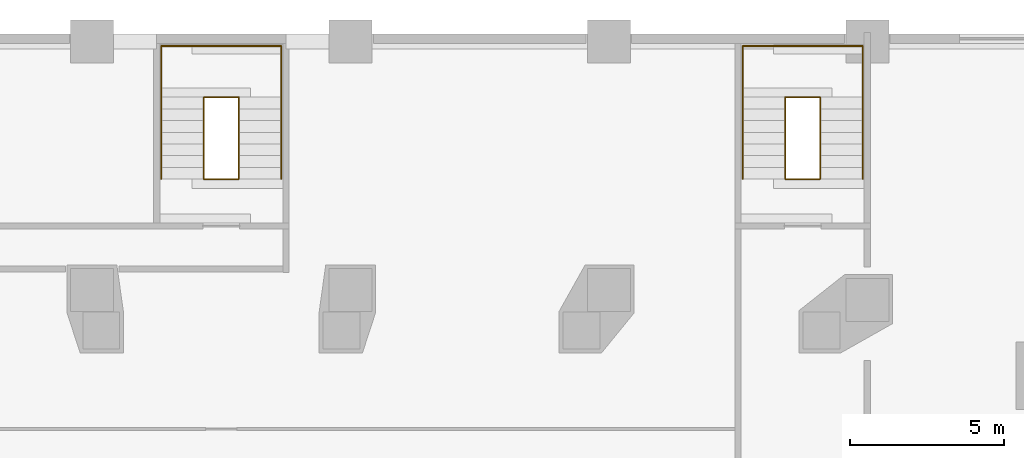
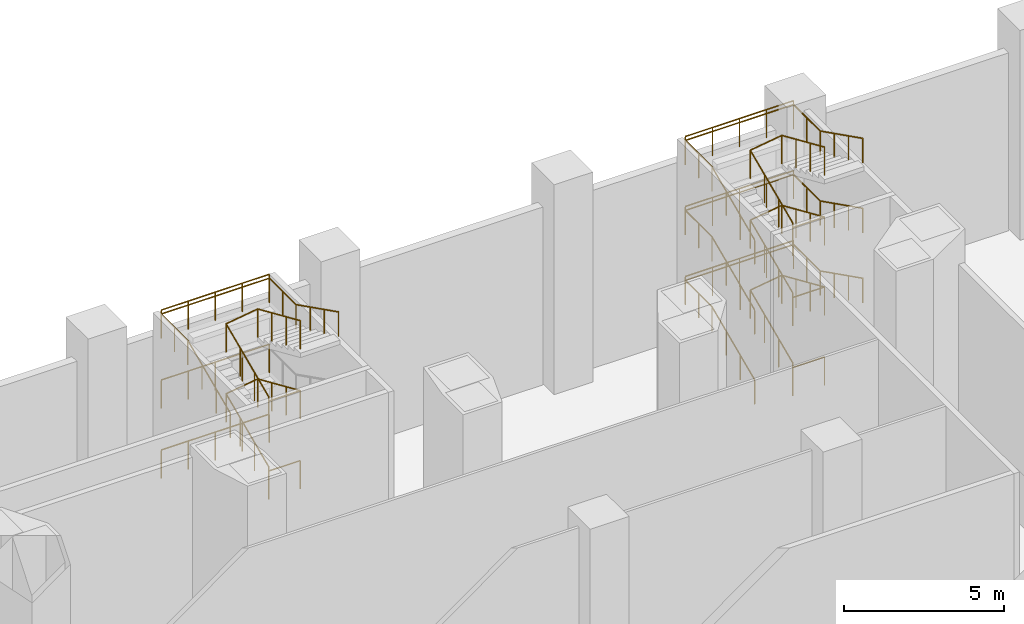
# One storey, part 19 of 19: 15 railings.
"""IFC4 building model written with IfcOpenShell, lengths in metres."""

from ifc_helpers import new_model, si_unit, direction, frame, origin, origin_2d, place, context, subcontext, project, spatial, circle, extrude, material, type_object, element, save


model = new_model("IFC4")

# Units and contexts
model_context = context("Model", 3, precision=1e-05, world=origin(), true_north=direction((0.0, 1.0)))
body_context = subcontext(model_context, "Body", "Model", "MODEL_VIEW")
ifc_project = project(units=[si_unit("LENGTHUNIT", "METRE"), si_unit("AREAUNIT", "SQUARE_METRE"), si_unit("VOLUMEUNIT", "CUBIC_METRE"), si_unit("PLANEANGLEUNIT", "RADIAN"), si_unit("MASSUNIT", "GRAM", prefix="KILO")], contexts=[model_context])

# Site, building, storey
site_placement = place(None, origin())
site = spatial("IfcSite", under=ifc_project, at=site_placement, CompositionType="ELEMENT")
building_placement = place(site_placement, origin())
building = spatial("IfcBuilding", under=site, at=building_placement, Name="Marenta Gate Hotel Tower", CompositionType="ELEMENT")
storey_placement = place(building_placement, frame((0.0, 0.0, 13.0)))
storey = spatial("IfcBuildingStorey", under=building, at=storey_placement, Name="L02", CompositionType="ELEMENT", Elevation=13.0)

# Railings
ifc_material_1 = material(Name="Stainless steel", Category="steel")
railing_type_1 = type_object("IfcRailingType", Name="Core stair handrail 950", PredefinedType="HANDRAIL", material=ifc_material_1)
railing_1_placement = place(storey_placement, frame((16.949951171875, 37.530029296875, 0.166748046875)))
element("IfcRailing", 1, at=railing_1_placement, inside=storey, type_object=railing_type_1, Name="HR-950 L02-KR-PX4-2", PredefinedType="HANDRAIL", context=body_context, shape_type="SweptSolid", body=[
    extrude(circle(Radius=0.02392578125, at=origin_2d()), frame((0.0, 0.0, 0.92578125), z_axis=(0.0, 0.915803938995, 0.401625628317), x_axis=(-1.0, 0.0, 0.0)), (0.0, 0.0, 1.0), 2.904541015625),
    extrude(circle(Radius=0.02392578125, at=origin_2d()), frame((0.0, 2.659912109375, 2.09228515625), z_axis=(0.0, 1.0, 0.0), x_axis=(-1.0, 0.0, 0.0)), (0.0, 0.0, 1.0), 1.66015625),
    extrude(circle(Radius=0.02392578125, at=origin_2d()), frame((0.0, 4.320068359375, 2.09228515625), z_axis=(1.0, 0.0, 0.0), x_axis=(0.0, 1.0, 0.0)), (0.0, 0.0, 1.0), 3.900146484375),
    extrude(circle(Radius=0.02392578125, at=origin_2d()), frame((3.900146484375, 4.320068359375, 2.09228515625), z_axis=(0.0, -1.0, 0.0), x_axis=(1.0, 0.0, 0.0)), (0.0, 0.0, 1.0), 1.66015625),
    extrude(circle(Radius=0.02392578125, at=origin_2d()), frame((3.900146484375, 2.659912109375, 2.09228515625), z_axis=(0.0, -0.89395078604, 0.448165139362), x_axis=(1.0, 0.0, 0.0)), (0.0, 0.0, 1.0), 2.975341796875),
    extrude(circle(Radius=0.02099609375, at=origin_2d()), origin(), (0.0, 0.0, 1.0), 0.90185546875),
    extrude(circle(Radius=0.02099609375, at=origin_2d()), frame((0.0, 0.88671875, 0.388916015625)), (0.0, 0.0, 1.0), 0.90185546875),
    extrude(circle(Radius=0.02099609375, at=origin_2d()), frame((0.0, 1.773193359375, 0.777587890625)), (0.0, 0.0, 1.0), 0.90185546875),
    extrude(circle(Radius=0.02099609375, at=origin_2d()), frame((0.0, 2.659912109375, 1.16650390625)), (0.0, 0.0, 1.0), 0.90185546875),
    extrude(circle(Radius=0.02099609375, at=origin_2d()), frame((0.0, 3.489990234375, 1.16650390625)), (0.0, 0.0, 1.0), 0.90185546875),
    extrude(circle(Radius=0.02099609375, at=origin_2d()), frame((0.0, 4.320068359375, 1.16650390625)), (0.0, 0.0, 1.0), 0.90185546875),
    extrude(circle(Radius=0.02099609375, at=origin_2d()), frame((0.97509765625, 4.320068359375, 1.16650390625)), (0.0, 0.0, 1.0), 0.90185546875),
    extrude(circle(Radius=0.02099609375, at=origin_2d()), frame((1.9501953125, 4.320068359375, 1.16650390625)), (0.0, 0.0, 1.0), 0.90185546875),
    extrude(circle(Radius=0.02099609375, at=origin_2d()), frame((2.925048828125, 4.320068359375, 1.16650390625)), (0.0, 0.0, 1.0), 0.90185546875),
    extrude(circle(Radius=0.02099609375, at=origin_2d()), frame((3.900146484375, 4.320068359375, 1.16650390625)), (0.0, 0.0, 1.0), 0.90185546875),
    extrude(circle(Radius=0.02099609375, at=origin_2d()), frame((3.900146484375, 3.489990234375, 1.16650390625)), (0.0, 0.0, 1.0), 0.90185546875),
    extrude(circle(Radius=0.02099609375, at=origin_2d()), frame((3.900146484375, 2.659912109375, 1.16650390625)), (0.0, 0.0, 1.0), 0.90185546875),
    extrude(circle(Radius=0.02099609375, at=origin_2d()), frame((3.900146484375, 1.773193359375, 1.611083984375)), (0.0, 0.0, 1.0), 0.90185546875),
    extrude(circle(Radius=0.02099609375, at=origin_2d()), frame((3.900146484375, 0.88671875, 2.055419921875)), (0.0, 0.0, 1.0), 0.90185546875),
    extrude(circle(Radius=0.02099609375, at=origin_2d()), frame((3.900146484375, 0.0, 2.5)), (0.0, 0.0, 1.0), 0.90185546875),
])
railing_2_placement = place(storey_placement, frame((16.949951171875, 37.530029296875, 2.833251953125)))
element("IfcRailing", 2, at=railing_2_placement, inside=storey, type_object=railing_type_1, Name="HR-950 L02-KR-PX4-5", PredefinedType="HANDRAIL", context=body_context, shape_type="SweptSolid", body=[
    extrude(circle(Radius=0.02392578125, at=origin_2d()), frame((0.0, 0.0, 0.92578125), z_axis=(0.0, 0.915773020194, 0.401696123314), x_axis=(-1.0, 0.0, 0.0)), (0.0, 0.0, 1.0), 2.904541015625),
    extrude(circle(Radius=0.02392578125, at=origin_2d()), frame((0.0, 2.659912109375, 2.0927734375), z_axis=(0.0, 1.0, 0.0), x_axis=(-1.0, 0.0, 0.0)), (0.0, 0.0, 1.0), 1.66015625),
    extrude(circle(Radius=0.02392578125, at=origin_2d()), frame((0.0, 4.320068359375, 2.0927734375), z_axis=(1.0, 0.0, 0.0), x_axis=(0.0, 1.0, 0.0)), (0.0, 0.0, 1.0), 3.900146484375),
    extrude(circle(Radius=0.02392578125, at=origin_2d()), frame((3.900146484375, 4.320068359375, 2.0927734375), z_axis=(0.0, -1.0, 0.0), x_axis=(1.0, 0.0, 0.0)), (0.0, 0.0, 1.0), 1.66015625),
    extrude(circle(Radius=0.02392578125, at=origin_2d()), frame((3.900146484375, 2.659912109375, 2.0927734375), z_axis=(0.0, -0.893983657746, 0.448099564475), x_axis=(1.0, 0.0, 0.0)), (0.0, 0.0, 1.0), 2.975341796875),
    extrude(circle(Radius=0.02099609375, at=origin_2d()), origin(), (0.0, 0.0, 1.0), 0.90185546875),
    extrude(circle(Radius=0.02099609375, at=origin_2d()), frame((0.0, 0.88671875, 0.388916015625)), (0.0, 0.0, 1.0), 0.90185546875),
    extrude(circle(Radius=0.02099609375, at=origin_2d()), frame((0.0, 1.773193359375, 0.77783203125)), (0.0, 0.0, 1.0), 0.90185546875),
    extrude(circle(Radius=0.02099609375, at=origin_2d()), frame((0.0, 2.659912109375, 1.166748046875)), (0.0, 0.0, 1.0), 0.90185546875),
    extrude(circle(Radius=0.02099609375, at=origin_2d()), frame((0.0, 3.489990234375, 1.166748046875)), (0.0, 0.0, 1.0), 0.90185546875),
    extrude(circle(Radius=0.02099609375, at=origin_2d()), frame((0.0, 4.320068359375, 1.166748046875)), (0.0, 0.0, 1.0), 0.90185546875),
    extrude(circle(Radius=0.02099609375, at=origin_2d()), frame((0.97509765625, 4.320068359375, 1.166748046875)), (0.0, 0.0, 1.0), 0.90185546875),
    extrude(circle(Radius=0.02099609375, at=origin_2d()), frame((1.9501953125, 4.320068359375, 1.166748046875)), (0.0, 0.0, 1.0), 0.90185546875),
    extrude(circle(Radius=0.02099609375, at=origin_2d()), frame((2.925048828125, 4.320068359375, 1.166748046875)), (0.0, 0.0, 1.0), 0.90185546875),
    extrude(circle(Radius=0.02099609375, at=origin_2d()), frame((3.900146484375, 4.320068359375, 1.166748046875)), (0.0, 0.0, 1.0), 0.90185546875),
    extrude(circle(Radius=0.02099609375, at=origin_2d()), frame((3.900146484375, 3.489990234375, 1.166748046875)), (0.0, 0.0, 1.0), 0.90185546875),
    extrude(circle(Radius=0.02099609375, at=origin_2d()), frame((3.900146484375, 2.659912109375, 1.166748046875)), (0.0, 0.0, 1.0), 0.90185546875),
    extrude(circle(Radius=0.02099609375, at=origin_2d()), frame((3.900146484375, 1.773193359375, 1.611083984375)), (0.0, 0.0, 1.0), 0.90185546875),
    extrude(circle(Radius=0.02099609375, at=origin_2d()), frame((3.900146484375, 0.88671875, 2.0556640625)), (0.0, 0.0, 1.0), 0.90185546875),
    extrude(circle(Radius=0.02099609375, at=origin_2d()), frame((3.900146484375, 0.0, 2.5)), (0.0, 0.0, 1.0), 0.90185546875),
])
railing_3_placement = place(storey_placement, frame((16.949951171875, 37.530029296875, 5.5)))
element("IfcRailing", 3, at=railing_3_placement, inside=storey, type_object=railing_type_1, Name="HR-950 L02-KR-PX4-8", PredefinedType="HANDRAIL", context=body_context, shape_type="SweptSolid", body=[
    extrude(circle(Radius=0.02392578125, at=origin_2d()), frame((0.0, 0.0, 0.92578125), z_axis=(0.0, 0.915773020194, 0.401696123314), x_axis=(-1.0, 0.0, 0.0)), (0.0, 0.0, 1.0), 2.904541015625),
    extrude(circle(Radius=0.02392578125, at=origin_2d()), frame((0.0, 2.659912109375, 2.0927734375), z_axis=(0.0, 1.0, 0.0), x_axis=(-1.0, 0.0, 0.0)), (0.0, 0.0, 1.0), 1.66015625),
    extrude(circle(Radius=0.02392578125, at=origin_2d()), frame((0.0, 4.320068359375, 2.0927734375), z_axis=(1.0, 0.0, 0.0), x_axis=(0.0, 1.0, 0.0)), (0.0, 0.0, 1.0), 3.900146484375),
    extrude(circle(Radius=0.02392578125, at=origin_2d()), frame((3.900146484375, 4.320068359375, 2.0927734375), z_axis=(0.0, -1.0, 0.0), x_axis=(1.0, 0.0, 0.0)), (0.0, 0.0, 1.0), 1.66015625),
    extrude(circle(Radius=0.02392578125, at=origin_2d()), frame((3.900146484375, 2.659912109375, 2.0927734375), z_axis=(0.0, -0.893983657746, 0.448099564475), x_axis=(1.0, 0.0, 0.0)), (0.0, 0.0, 1.0), 2.975341796875),
    extrude(circle(Radius=0.02099609375, at=origin_2d()), origin(), (0.0, 0.0, 1.0), 0.90185546875),
    extrude(circle(Radius=0.02099609375, at=origin_2d()), frame((0.0, 0.88671875, 0.388916015625)), (0.0, 0.0, 1.0), 0.90185546875),
    extrude(circle(Radius=0.02099609375, at=origin_2d()), frame((0.0, 1.773193359375, 0.77783203125)), (0.0, 0.0, 1.0), 0.90185546875),
    extrude(circle(Radius=0.02099609375, at=origin_2d()), frame((0.0, 2.659912109375, 1.166748046875)), (0.0, 0.0, 1.0), 0.90185546875),
    extrude(circle(Radius=0.02099609375, at=origin_2d()), frame((0.0, 3.489990234375, 1.166748046875)), (0.0, 0.0, 1.0), 0.90185546875),
    extrude(circle(Radius=0.02099609375, at=origin_2d()), frame((0.0, 4.320068359375, 1.166748046875)), (0.0, 0.0, 1.0), 0.90185546875),
    extrude(circle(Radius=0.02099609375, at=origin_2d()), frame((0.97509765625, 4.320068359375, 1.166748046875)), (0.0, 0.0, 1.0), 0.90185546875),
    extrude(circle(Radius=0.02099609375, at=origin_2d()), frame((1.9501953125, 4.320068359375, 1.166748046875)), (0.0, 0.0, 1.0), 0.90185546875),
    extrude(circle(Radius=0.02099609375, at=origin_2d()), frame((2.925048828125, 4.320068359375, 1.166748046875)), (0.0, 0.0, 1.0), 0.90185546875),
    extrude(circle(Radius=0.02099609375, at=origin_2d()), frame((3.900146484375, 4.320068359375, 1.166748046875)), (0.0, 0.0, 1.0), 0.90185546875),
    extrude(circle(Radius=0.02099609375, at=origin_2d()), frame((3.900146484375, 3.489990234375, 1.166748046875)), (0.0, 0.0, 1.0), 0.90185546875),
    extrude(circle(Radius=0.02099609375, at=origin_2d()), frame((3.900146484375, 2.659912109375, 1.166748046875)), (0.0, 0.0, 1.0), 0.90185546875),
    extrude(circle(Radius=0.02099609375, at=origin_2d()), frame((3.900146484375, 1.773193359375, 1.611083984375)), (0.0, 0.0, 1.0), 0.90185546875),
    extrude(circle(Radius=0.02099609375, at=origin_2d()), frame((3.900146484375, 0.88671875, 2.0556640625)), (0.0, 0.0, 1.0), 0.90185546875),
    extrude(circle(Radius=0.02099609375, at=origin_2d()), frame((3.900146484375, 0.0, 2.5)), (0.0, 0.0, 1.0), 0.90185546875),
])
railing_4_placement = place(storey_placement, frame((-1.949951171875, 37.530029296875, 5.5)))
element("IfcRailing", 4, at=railing_4_placement, inside=storey, type_object=railing_type_1, Name="HR-950 L02-KR-PX8-8", PredefinedType="HANDRAIL", context=body_context, shape_type="SweptSolid", body=[
    extrude(circle(Radius=0.02392578125, at=origin_2d()), frame((0.0, 0.0, 0.92578125), z_axis=(0.0, 0.915773020194, 0.401696123314), x_axis=(-1.0, 0.0, 0.0)), (0.0, 0.0, 1.0), 2.904541015625),
    extrude(circle(Radius=0.02392578125, at=origin_2d()), frame((0.0, 2.659912109375, 2.0927734375), z_axis=(0.0, 1.0, 0.0), x_axis=(-1.0, 0.0, 0.0)), (0.0, 0.0, 1.0), 1.66015625),
    extrude(circle(Radius=0.02392578125, at=origin_2d()), frame((0.0, 4.320068359375, 2.0927734375), z_axis=(1.0, 0.0, 0.0), x_axis=(0.0, 1.0, 0.0)), (0.0, 0.0, 1.0), 3.89990234375),
    extrude(circle(Radius=0.02392578125, at=origin_2d()), frame((3.89990234375, 4.320068359375, 2.0927734375), z_axis=(0.0, -1.0, 0.0), x_axis=(1.0, 0.0, 0.0)), (0.0, 0.0, 1.0), 1.66015625),
    extrude(circle(Radius=0.02392578125, at=origin_2d()), frame((3.89990234375, 2.659912109375, 2.0927734375), z_axis=(0.0, -0.893983657746, 0.448099564475), x_axis=(1.0, 0.0, 0.0)), (0.0, 0.0, 1.0), 2.975341796875),
    extrude(circle(Radius=0.02099609375, at=origin_2d()), origin(), (0.0, 0.0, 1.0), 0.90185546875),
    extrude(circle(Radius=0.02099609375, at=origin_2d()), frame((0.0, 0.88671875, 0.388916015625)), (0.0, 0.0, 1.0), 0.90185546875),
    extrude(circle(Radius=0.02099609375, at=origin_2d()), frame((0.0, 1.773193359375, 0.77783203125)), (0.0, 0.0, 1.0), 0.90185546875),
    extrude(circle(Radius=0.02099609375, at=origin_2d()), frame((0.0, 2.659912109375, 1.166748046875)), (0.0, 0.0, 1.0), 0.90185546875),
    extrude(circle(Radius=0.02099609375, at=origin_2d()), frame((0.0, 3.489990234375, 1.166748046875)), (0.0, 0.0, 1.0), 0.90185546875),
    extrude(circle(Radius=0.02099609375, at=origin_2d()), frame((0.0, 4.320068359375, 1.166748046875)), (0.0, 0.0, 1.0), 0.90185546875),
    extrude(circle(Radius=0.02099609375, at=origin_2d()), frame((0.97509765625, 4.320068359375, 1.166748046875)), (0.0, 0.0, 1.0), 0.90185546875),
    extrude(circle(Radius=0.02099609375, at=origin_2d()), frame((1.949951171875, 4.320068359375, 1.166748046875)), (0.0, 0.0, 1.0), 0.90185546875),
    extrude(circle(Radius=0.02099609375, at=origin_2d()), frame((2.9248046875, 4.320068359375, 1.166748046875)), (0.0, 0.0, 1.0), 0.90185546875),
    extrude(circle(Radius=0.02099609375, at=origin_2d()), frame((3.89990234375, 4.320068359375, 1.166748046875)), (0.0, 0.0, 1.0), 0.90185546875),
    extrude(circle(Radius=0.02099609375, at=origin_2d()), frame((3.89990234375, 3.489990234375, 1.166748046875)), (0.0, 0.0, 1.0), 0.90185546875),
    extrude(circle(Radius=0.02099609375, at=origin_2d()), frame((3.89990234375, 2.659912109375, 1.166748046875)), (0.0, 0.0, 1.0), 0.90185546875),
    extrude(circle(Radius=0.02099609375, at=origin_2d()), frame((3.89990234375, 1.773193359375, 1.611083984375)), (0.0, 0.0, 1.0), 0.90185546875),
    extrude(circle(Radius=0.02099609375, at=origin_2d()), frame((3.89990234375, 0.88671875, 2.0556640625)), (0.0, 0.0, 1.0), 0.90185546875),
    extrude(circle(Radius=0.02099609375, at=origin_2d()), frame((3.89990234375, 0.0, 2.5)), (0.0, 0.0, 1.0), 0.90185546875),
])
ifc_material_2 = material(Name="Stainless steel", Category="steel")
railing_type_2 = type_object("IfcRailingType", Name="Core stair well guard 1100", PredefinedType="GUARDRAIL", material=ifc_material_2)
railing_5_placement = place(storey_placement, frame((16.949951171875, 41.85009765625, 1.333251953125)))
element("IfcRailing", 5, at=railing_5_placement, inside=storey, type_object=railing_type_2, Name="GR-1100 L02-KR-PX4-1", PredefinedType="GUARDRAIL", context=body_context, shape_type="SweptSolid", body=[
    extrude(circle(Radius=0.02392578125, at=origin_2d()), frame((0.0, 0.0, 1.076171875), z_axis=(1.0, 0.0, 0.0), x_axis=(0.0, 1.0, 0.0)), (0.0, 0.0, 1.0), 3.900146484375),
    extrude(circle(Radius=0.02099609375, at=origin_2d()), origin(), (0.0, 0.0, 1.0), 1.052001953125),
    extrude(circle(Radius=0.02099609375, at=origin_2d()), frame((0.97509765625, 0.0, 0.0)), (0.0, 0.0, 1.0), 1.052001953125),
    extrude(circle(Radius=0.02099609375, at=origin_2d()), frame((1.9501953125, 0.0, 0.0)), (0.0, 0.0, 1.0), 1.052001953125),
    extrude(circle(Radius=0.02099609375, at=origin_2d()), frame((2.925048828125, 0.0, 0.0)), (0.0, 0.0, 1.0), 1.052001953125),
    extrude(circle(Radius=0.02099609375, at=origin_2d()), frame((3.900146484375, 0.0, 0.0)), (0.0, 0.0, 1.0), 1.052001953125),
])
railing_6_placement = place(storey_placement, frame((19.469970703125, 37.530029296875, 0.0)))
element("IfcRailing", 6, at=railing_6_placement, inside=storey, type_object=railing_type_2, Name="GR-1100 L02-KR-PX4-3", PredefinedType="GUARDRAIL", context=body_context, shape_type="SweptSolid", body=[
    extrude(circle(Radius=0.02392578125, at=origin_2d()), frame((0.0, 0.0, 1.076171875), z_axis=(-1.0, 0.0, 0.0), x_axis=(0.0, -1.0, 0.0)), (0.0, 0.0, 1.0), 1.139892578125),
    extrude(circle(Radius=0.02392578125, at=origin_2d()), frame((-1.139892578125, 0.0, 1.076171875), z_axis=(0.0, 0.0, 1.0), x_axis=(1.0, 0.0, 0.0)), (0.0, 0.0, 1.0), 0.166748046875),
    extrude(circle(Radius=0.02392578125, at=origin_2d()), frame((-1.139892578125, 0.0, 1.24267578125), z_axis=(0.0, 0.915803938995, 0.401625628317), x_axis=(-1.0, 0.0, 0.0)), (0.0, 0.0, 1.0), 2.904541015625),
    extrude(circle(Radius=0.02392578125, at=origin_2d()), frame((-1.139892578125, 2.659912109375, 2.4091796875), z_axis=(0.989469208712, 0.0, 0.144743514575), x_axis=(0.0, 1.0, 0.0)), (0.0, 0.0, 1.0), 1.152099609375),
    extrude(circle(Radius=0.02392578125, at=origin_2d()), frame((0.0, 2.659912109375, 2.576171875), z_axis=(0.0, -0.915773020194, 0.401696123314), x_axis=(1.0, 0.0, 0.0)), (0.0, 0.0, 1.0), 2.904541015625),
    extrude(circle(Radius=0.02099609375, at=origin_2d()), origin(), (0.0, 0.0, 1.0), 1.052001953125),
    extrude(circle(Radius=0.02099609375, at=origin_2d()), frame((-1.139892578125, 0.0, 0.0)), (0.0, 0.0, 1.0), 1.052001953125),
    extrude(circle(Radius=0.02099609375, at=origin_2d()), frame((-1.139892578125, 0.0, 0.166748046875)), (0.0, 0.0, 1.0), 1.052001953125),
    extrude(circle(Radius=0.02099609375, at=origin_2d()), frame((-1.139892578125, 0.88671875, 0.5556640625)), (0.0, 0.0, 1.0), 1.052001953125),
    extrude(circle(Radius=0.02099609375, at=origin_2d()), frame((-1.139892578125, 1.773193359375, 0.9443359375)), (0.0, 0.0, 1.0), 1.052001953125),
    extrude(circle(Radius=0.02099609375, at=origin_2d()), frame((-1.139892578125, 2.659912109375, 1.333251953125)), (0.0, 0.0, 1.0), 1.052001953125),
    extrude(circle(Radius=0.02099609375, at=origin_2d()), frame((0.0, 2.659912109375, 1.5)), (0.0, 0.0, 1.0), 1.052001953125),
    extrude(circle(Radius=0.02099609375, at=origin_2d()), frame((0.0, 1.773193359375, 1.888916015625)), (0.0, 0.0, 1.0), 1.052001953125),
    extrude(circle(Radius=0.02099609375, at=origin_2d()), frame((0.0, 0.88671875, 2.27783203125)), (0.0, 0.0, 1.0), 1.052001953125),
    extrude(circle(Radius=0.02099609375, at=origin_2d()), frame((0.0, 0.0, 2.666748046875)), (0.0, 0.0, 1.0), 1.052001953125),
])
railing_7_placement = place(storey_placement, frame((16.949951171875, 41.85009765625, 4.0)))
element("IfcRailing", 7, at=railing_7_placement, inside=storey, type_object=railing_type_2, Name="GR-1100 L02-KR-PX4-4", PredefinedType="GUARDRAIL", context=body_context, shape_type="SweptSolid", body=[
    extrude(circle(Radius=0.02392578125, at=origin_2d()), frame((0.0, 0.0, 1.076171875), z_axis=(1.0, 0.0, 0.0), x_axis=(0.0, 1.0, 0.0)), (0.0, 0.0, 1.0), 3.900146484375),
    extrude(circle(Radius=0.02099609375, at=origin_2d()), origin(), (0.0, 0.0, 1.0), 1.052001953125),
    extrude(circle(Radius=0.02099609375, at=origin_2d()), frame((0.97509765625, 0.0, 0.0)), (0.0, 0.0, 1.0), 1.052001953125),
    extrude(circle(Radius=0.02099609375, at=origin_2d()), frame((1.9501953125, 0.0, 0.0)), (0.0, 0.0, 1.0), 1.052001953125),
    extrude(circle(Radius=0.02099609375, at=origin_2d()), frame((2.925048828125, 0.0, 0.0)), (0.0, 0.0, 1.0), 1.052001953125),
    extrude(circle(Radius=0.02099609375, at=origin_2d()), frame((3.900146484375, 0.0, 0.0)), (0.0, 0.0, 1.0), 1.052001953125),
])
railing_8_placement = place(storey_placement, frame((19.469970703125, 37.530029296875, 2.666748046875)))
element("IfcRailing", 8, at=railing_8_placement, inside=storey, type_object=railing_type_2, Name="GR-1100 L02-KR-PX4-6", PredefinedType="GUARDRAIL", context=body_context, shape_type="SweptSolid", body=[
    extrude(circle(Radius=0.02392578125, at=origin_2d()), frame((0.0, 0.0, 1.076171875), z_axis=(-1.0, 0.0, 0.0), x_axis=(0.0, -1.0, 0.0)), (0.0, 0.0, 1.0), 1.139892578125),
    extrude(circle(Radius=0.02392578125, at=origin_2d()), frame((-1.139892578125, 0.0, 1.076171875), z_axis=(0.0, 0.0, 1.0), x_axis=(1.0, 0.0, 0.0)), (0.0, 0.0, 1.0), 0.16650390625),
    extrude(circle(Radius=0.02392578125, at=origin_2d()), frame((-1.139892578125, 0.0, 1.24267578125), z_axis=(0.0, 0.915773020194, 0.401696123314), x_axis=(-1.0, 0.0, 0.0)), (0.0, 0.0, 1.0), 2.904541015625),
    extrude(circle(Radius=0.02392578125, at=origin_2d()), frame((-1.139892578125, 2.659912109375, 2.4091796875), z_axis=(0.989469208712, 0.0, 0.144743514575), x_axis=(0.0, 1.0, 0.0)), (0.0, 0.0, 1.0), 1.152099609375),
    extrude(circle(Radius=0.02392578125, at=origin_2d()), frame((0.0, 2.659912109375, 2.576171875), z_axis=(0.0, -0.915803938995, 0.401625628317), x_axis=(1.0, 0.0, 0.0)), (0.0, 0.0, 1.0), 2.904541015625),
    extrude(circle(Radius=0.02099609375, at=origin_2d()), origin(), (0.0, 0.0, 1.0), 1.052001953125),
    extrude(circle(Radius=0.02099609375, at=origin_2d()), frame((-1.139892578125, 0.0, 0.0)), (0.0, 0.0, 1.0), 1.052001953125),
    extrude(circle(Radius=0.02099609375, at=origin_2d()), frame((-1.139892578125, 0.0, 0.16650390625)), (0.0, 0.0, 1.0), 1.052001953125),
    extrude(circle(Radius=0.02099609375, at=origin_2d()), frame((-1.139892578125, 0.88671875, 0.555419921875)), (0.0, 0.0, 1.0), 1.052001953125),
    extrude(circle(Radius=0.02099609375, at=origin_2d()), frame((-1.139892578125, 1.773193359375, 0.9443359375)), (0.0, 0.0, 1.0), 1.052001953125),
    extrude(circle(Radius=0.02099609375, at=origin_2d()), frame((-1.139892578125, 2.659912109375, 1.333251953125)), (0.0, 0.0, 1.0), 1.052001953125),
    extrude(circle(Radius=0.02099609375, at=origin_2d()), frame((0.0, 2.659912109375, 1.5)), (0.0, 0.0, 1.0), 1.052001953125),
    extrude(circle(Radius=0.02099609375, at=origin_2d()), frame((0.0, 1.773193359375, 1.888916015625)), (0.0, 0.0, 1.0), 1.052001953125),
    extrude(circle(Radius=0.02099609375, at=origin_2d()), frame((0.0, 0.88671875, 2.277587890625)), (0.0, 0.0, 1.0), 1.052001953125),
    extrude(circle(Radius=0.02099609375, at=origin_2d()), frame((0.0, 0.0, 2.66650390625)), (0.0, 0.0, 1.0), 1.052001953125),
])
railing_9_placement = place(storey_placement, frame((16.949951171875, 41.85009765625, 6.666748046875)))
element("IfcRailing", 9, at=railing_9_placement, inside=storey, type_object=railing_type_2, Name="GR-1100 L02-KR-PX4-7", PredefinedType="GUARDRAIL", context=body_context, shape_type="SweptSolid", body=[
    extrude(circle(Radius=0.02392578125, at=origin_2d()), frame((0.0, 0.0, 1.076171875), z_axis=(1.0, 0.0, 0.0), x_axis=(0.0, 1.0, 0.0)), (0.0, 0.0, 1.0), 3.900146484375),
    extrude(circle(Radius=0.02099609375, at=origin_2d()), origin(), (0.0, 0.0, 1.0), 1.052001953125),
    extrude(circle(Radius=0.02099609375, at=origin_2d()), frame((0.97509765625, 0.0, 0.0)), (0.0, 0.0, 1.0), 1.052001953125),
    extrude(circle(Radius=0.02099609375, at=origin_2d()), frame((1.9501953125, 0.0, 0.0)), (0.0, 0.0, 1.0), 1.052001953125),
    extrude(circle(Radius=0.02099609375, at=origin_2d()), frame((2.925048828125, 0.0, 0.0)), (0.0, 0.0, 1.0), 1.052001953125),
    extrude(circle(Radius=0.02099609375, at=origin_2d()), frame((3.900146484375, 0.0, 0.0)), (0.0, 0.0, 1.0), 1.052001953125),
])
railing_10_placement = place(storey_placement, frame((19.469970703125, 37.530029296875, 5.333251953125)))
element("IfcRailing", 10, at=railing_10_placement, inside=storey, type_object=railing_type_2, Name="GR-1100 L02-KR-PX4-9", PredefinedType="GUARDRAIL", context=body_context, shape_type="SweptSolid", body=[
    extrude(circle(Radius=0.02392578125, at=origin_2d()), frame((0.0, 0.0, 1.076171875), z_axis=(-1.0, 0.0, 0.0), x_axis=(0.0, -1.0, 0.0)), (0.0, 0.0, 1.0), 1.139892578125),
    extrude(circle(Radius=0.02392578125, at=origin_2d()), frame((-1.139892578125, 0.0, 1.076171875), z_axis=(0.0, 0.0, 1.0), x_axis=(1.0, 0.0, 0.0)), (0.0, 0.0, 1.0), 0.166748046875),
    extrude(circle(Radius=0.02392578125, at=origin_2d()), frame((-1.139892578125, 0.0, 1.24267578125), z_axis=(0.0, 0.915773020194, 0.401696123314), x_axis=(-1.0, 0.0, 0.0)), (0.0, 0.0, 1.0), 2.904541015625),
    extrude(circle(Radius=0.02392578125, at=origin_2d()), frame((-1.139892578125, 2.659912109375, 2.40966796875), z_axis=(0.989499539362, 0.0, 0.144536021813), x_axis=(0.0, 1.0, 0.0)), (0.0, 0.0, 1.0), 1.152099609375),
    extrude(circle(Radius=0.02392578125, at=origin_2d()), frame((0.0, 2.659912109375, 2.576171875), z_axis=(0.0, -0.915773020194, 0.401696123314), x_axis=(1.0, 0.0, 0.0)), (0.0, 0.0, 1.0), 2.904541015625),
    extrude(circle(Radius=0.02099609375, at=origin_2d()), origin(), (0.0, 0.0, 1.0), 1.052001953125),
    extrude(circle(Radius=0.02099609375, at=origin_2d()), frame((-1.139892578125, 0.0, 0.0)), (0.0, 0.0, 1.0), 1.052001953125),
    extrude(circle(Radius=0.02099609375, at=origin_2d()), frame((-1.139892578125, 0.0, 0.166748046875)), (0.0, 0.0, 1.0), 1.052001953125),
    extrude(circle(Radius=0.02099609375, at=origin_2d()), frame((-1.139892578125, 0.88671875, 0.5556640625)), (0.0, 0.0, 1.0), 1.052001953125),
    extrude(circle(Radius=0.02099609375, at=origin_2d()), frame((-1.139892578125, 1.773193359375, 0.944580078125)), (0.0, 0.0, 1.0), 1.052001953125),
    extrude(circle(Radius=0.02099609375, at=origin_2d()), frame((-1.139892578125, 2.659912109375, 1.33349609375)), (0.0, 0.0, 1.0), 1.052001953125),
    extrude(circle(Radius=0.02099609375, at=origin_2d()), frame((0.0, 2.659912109375, 1.5)), (0.0, 0.0, 1.0), 1.052001953125),
    extrude(circle(Radius=0.02099609375, at=origin_2d()), frame((0.0, 1.773193359375, 1.888916015625)), (0.0, 0.0, 1.0), 1.052001953125),
    extrude(circle(Radius=0.02099609375, at=origin_2d()), frame((0.0, 0.88671875, 2.27783203125)), (0.0, 0.0, 1.0), 1.052001953125),
    extrude(circle(Radius=0.02099609375, at=origin_2d()), frame((0.0, 0.0, 2.666748046875)), (0.0, 0.0, 1.0), 1.052001953125),
])
for number, where, name in (
    (11, (-1.949951171875, 41.85009765625, 1.333251953125), "GR-1100 L02-KR-PX8-1"),
    (12, (-1.949951171875, 41.85009765625, 4.0), "GR-1100 L02-KR-PX8-4"),
):
    element("IfcRailing", number, at=place(storey_placement, frame(where)), inside=storey, type_object=railing_type_2, Name=name, PredefinedType="GUARDRAIL", context=body_context, shape_type="SweptSolid", body=[
        extrude(circle(Radius=0.02392578125, at=origin_2d()), frame((0.0, 0.0, 1.076171875), z_axis=(1.0, 0.0, 0.0), x_axis=(0.0, 1.0, 0.0)), (0.0, 0.0, 1.0), 3.89990234375),
        extrude(circle(Radius=0.02099609375, at=origin_2d()), origin(), (0.0, 0.0, 1.0), 1.052001953125),
        extrude(circle(Radius=0.02099609375, at=origin_2d()), frame((0.97509765625, 0.0, 0.0)), (0.0, 0.0, 1.0), 1.052001953125),
        extrude(circle(Radius=0.02099609375, at=origin_2d()), frame((1.949951171875, 0.0, 0.0)), (0.0, 0.0, 1.0), 1.052001953125),
        extrude(circle(Radius=0.02099609375, at=origin_2d()), frame((2.9248046875, 0.0, 0.0)), (0.0, 0.0, 1.0), 1.052001953125),
        extrude(circle(Radius=0.02099609375, at=origin_2d()), frame((3.89990234375, 0.0, 0.0)), (0.0, 0.0, 1.0), 1.052001953125),
    ])
railing_11_placement = place(storey_placement, frame((0.570068359375, 37.530029296875, 2.666748046875)))
element("IfcRailing", 13, at=railing_11_placement, inside=storey, type_object=railing_type_2, Name="GR-1100 L02-KR-PX8-6", PredefinedType="GUARDRAIL", context=body_context, shape_type="SweptSolid", body=[
    extrude(circle(Radius=0.02392578125, at=origin_2d()), frame((0.0, 0.0, 1.076171875), z_axis=(-1.0, 0.0, 0.0), x_axis=(0.0, -1.0, 0.0)), (0.0, 0.0, 1.0), 1.14013671875),
    extrude(circle(Radius=0.02392578125, at=origin_2d()), frame((-1.14013671875, 0.0, 1.076171875), z_axis=(0.0, 0.0, 1.0), x_axis=(1.0, 0.0, 0.0)), (0.0, 0.0, 1.0), 0.16650390625),
    extrude(circle(Radius=0.02392578125, at=origin_2d()), frame((-1.14013671875, 0.0, 1.24267578125), z_axis=(0.0, 0.915773020194, 0.401696123314), x_axis=(-1.0, 0.0, 0.0)), (0.0, 0.0, 1.0), 2.904541015625),
    extrude(circle(Radius=0.02392578125, at=origin_2d()), frame((-1.14013671875, 2.659912109375, 2.4091796875), z_axis=(0.989473647251, 0.0, 0.144713169394), x_axis=(0.0, 1.0, 0.0)), (0.0, 0.0, 1.0), 1.15234375),
    extrude(circle(Radius=0.02392578125, at=origin_2d()), frame((0.0, 2.659912109375, 2.576171875), z_axis=(0.0, -0.915803938995, 0.401625628317), x_axis=(1.0, 0.0, 0.0)), (0.0, 0.0, 1.0), 2.904541015625),
    extrude(circle(Radius=0.02099609375, at=origin_2d()), origin(), (0.0, 0.0, 1.0), 1.052001953125),
    extrude(circle(Radius=0.02099609375, at=origin_2d()), frame((-1.14013671875, 0.0, 0.0)), (0.0, 0.0, 1.0), 1.052001953125),
    extrude(circle(Radius=0.02099609375, at=origin_2d()), frame((-1.14013671875, 0.0, 0.16650390625)), (0.0, 0.0, 1.0), 1.052001953125),
    extrude(circle(Radius=0.02099609375, at=origin_2d()), frame((-1.14013671875, 0.88671875, 0.555419921875)), (0.0, 0.0, 1.0), 1.052001953125),
    extrude(circle(Radius=0.02099609375, at=origin_2d()), frame((-1.14013671875, 1.773193359375, 0.9443359375)), (0.0, 0.0, 1.0), 1.052001953125),
    extrude(circle(Radius=0.02099609375, at=origin_2d()), frame((-1.14013671875, 2.659912109375, 1.333251953125)), (0.0, 0.0, 1.0), 1.052001953125),
    extrude(circle(Radius=0.02099609375, at=origin_2d()), frame((0.0, 2.659912109375, 1.5)), (0.0, 0.0, 1.0), 1.052001953125),
    extrude(circle(Radius=0.02099609375, at=origin_2d()), frame((0.0, 1.773193359375, 1.888916015625)), (0.0, 0.0, 1.0), 1.052001953125),
    extrude(circle(Radius=0.02099609375, at=origin_2d()), frame((0.0, 0.88671875, 2.277587890625)), (0.0, 0.0, 1.0), 1.052001953125),
    extrude(circle(Radius=0.02099609375, at=origin_2d()), frame((0.0, 0.0, 2.66650390625)), (0.0, 0.0, 1.0), 1.052001953125),
])
railing_12_placement = place(storey_placement, frame((-1.949951171875, 41.85009765625, 6.666748046875)))
element("IfcRailing", 14, at=railing_12_placement, inside=storey, type_object=railing_type_2, Name="GR-1100 L02-KR-PX8-7", PredefinedType="GUARDRAIL", context=body_context, shape_type="SweptSolid", body=[
    extrude(circle(Radius=0.02392578125, at=origin_2d()), frame((0.0, 0.0, 1.076171875), z_axis=(1.0, 0.0, 0.0), x_axis=(0.0, 1.0, 0.0)), (0.0, 0.0, 1.0), 3.89990234375),
    extrude(circle(Radius=0.02099609375, at=origin_2d()), origin(), (0.0, 0.0, 1.0), 1.052001953125),
    extrude(circle(Radius=0.02099609375, at=origin_2d()), frame((0.97509765625, 0.0, 0.0)), (0.0, 0.0, 1.0), 1.052001953125),
    extrude(circle(Radius=0.02099609375, at=origin_2d()), frame((1.949951171875, 0.0, 0.0)), (0.0, 0.0, 1.0), 1.052001953125),
    extrude(circle(Radius=0.02099609375, at=origin_2d()), frame((2.9248046875, 0.0, 0.0)), (0.0, 0.0, 1.0), 1.052001953125),
    extrude(circle(Radius=0.02099609375, at=origin_2d()), frame((3.89990234375, 0.0, 0.0)), (0.0, 0.0, 1.0), 1.052001953125),
])
railing_13_placement = place(storey_placement, frame((0.570068359375, 37.530029296875, 5.333251953125)))
element("IfcRailing", 15, at=railing_13_placement, inside=storey, type_object=railing_type_2, Name="GR-1100 L02-KR-PX8-9", PredefinedType="GUARDRAIL", context=body_context, shape_type="SweptSolid", body=[
    extrude(circle(Radius=0.02392578125, at=origin_2d()), frame((0.0, 0.0, 1.076171875), z_axis=(-1.0, 0.0, 0.0), x_axis=(0.0, -1.0, 0.0)), (0.0, 0.0, 1.0), 1.14013671875),
    extrude(circle(Radius=0.02392578125, at=origin_2d()), frame((-1.14013671875, 0.0, 1.076171875), z_axis=(0.0, 0.0, 1.0), x_axis=(1.0, 0.0, 0.0)), (0.0, 0.0, 1.0), 0.166748046875),
    extrude(circle(Radius=0.02392578125, at=origin_2d()), frame((-1.14013671875, 0.0, 1.24267578125), z_axis=(0.0, 0.915773020194, 0.401696123314), x_axis=(-1.0, 0.0, 0.0)), (0.0, 0.0, 1.0), 2.904541015625),
    extrude(circle(Radius=0.02392578125, at=origin_2d()), frame((-1.14013671875, 2.659912109375, 2.40966796875), z_axis=(0.989503965321, 0.0, 0.144505718276), x_axis=(0.0, 1.0, 0.0)), (0.0, 0.0, 1.0), 1.15234375),
    extrude(circle(Radius=0.02392578125, at=origin_2d()), frame((0.0, 2.659912109375, 2.576171875), z_axis=(0.0, -0.915773020194, 0.401696123314), x_axis=(1.0, 0.0, 0.0)), (0.0, 0.0, 1.0), 2.904541015625),
    extrude(circle(Radius=0.02099609375, at=origin_2d()), origin(), (0.0, 0.0, 1.0), 1.052001953125),
    extrude(circle(Radius=0.02099609375, at=origin_2d()), frame((-1.14013671875, 0.0, 0.0)), (0.0, 0.0, 1.0), 1.052001953125),
    extrude(circle(Radius=0.02099609375, at=origin_2d()), frame((-1.14013671875, 0.0, 0.166748046875)), (0.0, 0.0, 1.0), 1.052001953125),
    extrude(circle(Radius=0.02099609375, at=origin_2d()), frame((-1.14013671875, 0.88671875, 0.5556640625)), (0.0, 0.0, 1.0), 1.052001953125),
    extrude(circle(Radius=0.02099609375, at=origin_2d()), frame((-1.14013671875, 1.773193359375, 0.944580078125)), (0.0, 0.0, 1.0), 1.052001953125),
    extrude(circle(Radius=0.02099609375, at=origin_2d()), frame((-1.14013671875, 2.659912109375, 1.33349609375)), (0.0, 0.0, 1.0), 1.052001953125),
    extrude(circle(Radius=0.02099609375, at=origin_2d()), frame((0.0, 2.659912109375, 1.5)), (0.0, 0.0, 1.0), 1.052001953125),
    extrude(circle(Radius=0.02099609375, at=origin_2d()), frame((0.0, 1.773193359375, 1.888916015625)), (0.0, 0.0, 1.0), 1.052001953125),
    extrude(circle(Radius=0.02099609375, at=origin_2d()), frame((0.0, 0.88671875, 2.27783203125)), (0.0, 0.0, 1.0), 1.052001953125),
    extrude(circle(Radius=0.02099609375, at=origin_2d()), frame((0.0, 0.0, 2.666748046875)), (0.0, 0.0, 1.0), 1.052001953125),
])

save(model, "model.ifc")
